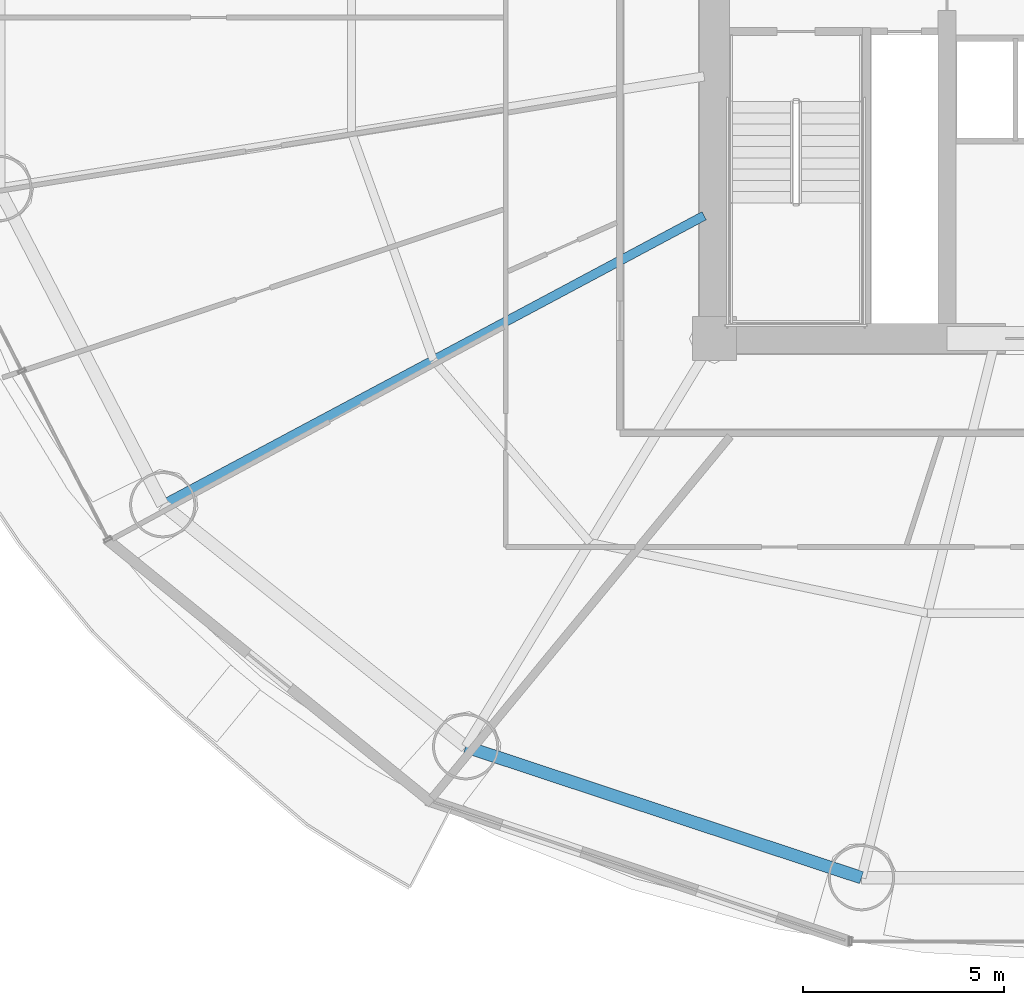
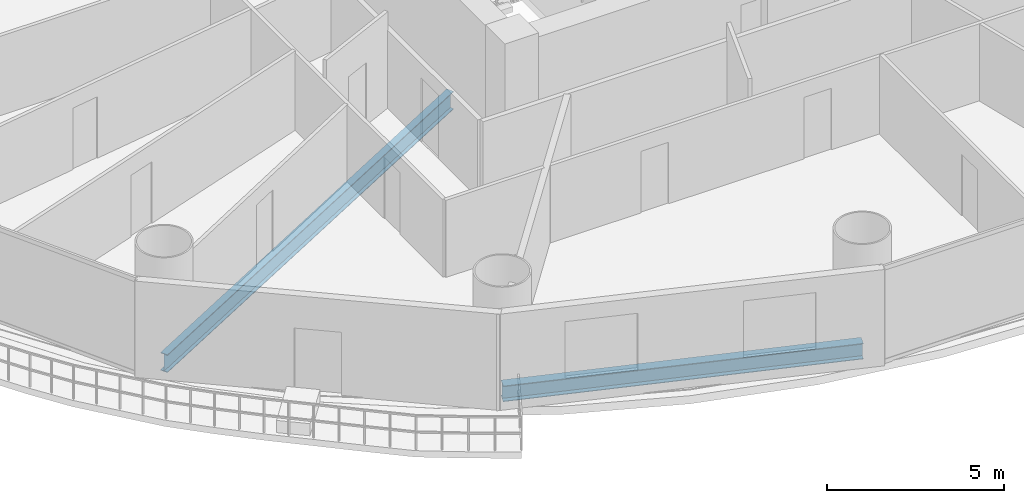
# One storey, part 3 of 29: 2 beams.
"""IFC4 building model written with IfcOpenShell, lengths in metres."""

import ifcopenshell
import ifcopenshell.guid

model = None  # the IFC model being written
_history = None  # IfcOwnerHistory: only IFC2X3 demands one
_inside = {}  # id of a spatial element -> (the spatial element, [elements in it])
_under = {}  # id of a project, library or spatial element -> (it, [spatial elements below it])
_declared = {}  # id of a project -> (the project, [libraries it declares])
_typed = {}  # id of a type object -> (the type object, [elements of that type])
_made_of = {}  # id of a material, layer set ... -> (it, [elements and type objects made of it])


def new_model(schema):
    """Start an empty IFC model of exactly this schema.

    Asked for "IFC4X3", IfcOpenShell would pick the latest addendum, in which some entities
    have other attributes; the version numbers below select the first issue.
    IFC2X3 requires an IfcOwnerHistory on every rooted entity: one is made here for all.
    """
    global model, _history
    if schema == "IFC4X3":
        model = ifcopenshell.file(schema_version=(4, 3, 0, 0))
    else:
        model = ifcopenshell.file(schema=schema)
    _inside.clear()
    _under.clear()
    _declared.clear()
    _typed.clear()
    _made_of.clear()
    _history = None
    if model.schema == "IFC2X3":
        org = make("IfcOrganization", Name="unknown")
        user = make(
            "IfcPersonAndOrganization",
            ThePerson=make("IfcPerson", FamilyName="unknown"),
            TheOrganization=org,
        )
        app = make(
            "IfcApplication",
            ApplicationDeveloper=org,
            Version="unknown",
            ApplicationFullName="unknown",
            ApplicationIdentifier="unknown",
        )
        _history = make(
            "IfcOwnerHistory",
            OwningUser=user,
            OwningApplication=app,
            ChangeAction="ADDED",
            CreationDate=0,
        )
    return model


def make(cls, **values):
    """One entity of the class cls with the attributes given. An attribute that is None is left unset."""
    return model.create_entity(
        cls, **{name: value for name, value in values.items() if value is not None}
    )


def rooted(cls, **values):
    """An entity with a GlobalId (a new one), such as an element, a storey or a relation."""
    return make(cls, GlobalId=ifcopenshell.guid.new(), OwnerHistory=_history, **values)


def si_unit(unit_type, name, prefix=None):
    """IfcSIUnit, for example si_unit("LENGTHUNIT", "METRE", prefix="MILLI")."""
    return make("IfcSIUnit", UnitType=unit_type, Prefix=prefix, Name=name)


def assignment(units):
    """IfcUnitAssignment: the units of a project."""
    return None if units is None else make("IfcUnitAssignment", Units=units)


def point(xyz):
    """IfcCartesianPoint."""
    return None if xyz is None else make("IfcCartesianPoint", Coordinates=xyz)


def direction(xyz):
    """IfcDirection."""
    return None if xyz is None else make("IfcDirection", DirectionRatios=xyz)


def frame(location, z_axis=None, x_axis=None):
    """IfcAxis2Placement3D, a coordinate frame: its origin and axes. An axis left out is left unset."""
    return make(
        "IfcAxis2Placement3D",
        Location=point(location),
        Axis=direction(z_axis),
        RefDirection=direction(x_axis),
    )


def frame_2d(location, x_axis=None):
    """IfcAxis2Placement2D, a coordinate frame in the plane: its origin and x axis."""
    return make(
        "IfcAxis2Placement2D", Location=point(location), RefDirection=direction(x_axis)
    )


def origin():
    """The frame at (0, 0, 0) with its axes left unset."""
    return frame((0.0, 0.0, 0.0))


def origin_2d():
    """The frame at (0, 0) in the plane with its x axis left unset."""
    return frame_2d((0.0, 0.0))


def place(relative_to, where):
    """IfcLocalPlacement: puts the frame where relative to a parent placement (None: the world)."""
    return make(
        "IfcLocalPlacement", PlacementRelTo=relative_to, RelativePlacement=where
    )


def context(
    kind, dimensions, precision=None, world=None, true_north=None, identifier=None
):
    """IfcGeometricRepresentationContext, for example the 3D "Model" context."""
    return make(
        "IfcGeometricRepresentationContext",
        ContextIdentifier=identifier,
        ContextType=kind,
        CoordinateSpaceDimension=dimensions,
        Precision=precision,
        WorldCoordinateSystem=world,
        TrueNorth=true_north,
    )


def subcontext(parent, identifier, kind, view, scale=None):
    """IfcGeometricRepresentationSubContext, for example "Body" below "Model"."""
    return make(
        "IfcGeometricRepresentationSubContext",
        ContextIdentifier=identifier,
        ContextType=kind,
        ParentContext=parent,
        TargetScale=scale,
        TargetView=view,
    )


def project(units=None, contexts=None):
    """IfcProject with its units and contexts."""
    return rooted(
        "IfcProject",
        Name="project",
        RepresentationContexts=contexts,
        UnitsInContext=assignment(units),
    )


def spatial(cls, under=None, at=None, **own):
    """A site, building, storey or space (cls), placed at a placement, below another one or the project."""
    s = rooted(cls, ObjectPlacement=at, **own)
    if under is not None:
        _under.setdefault(under.id(), (under, []))[1].append(s)
    return s


def profile(cls, at=None, kind="AREA", **sizes):
    """A parametric profile (cls). Its sizes go by their IFC names, for example OverallWidth=200.0."""
    return make(cls, ProfileType=kind, Position=at, **sizes)


def i_section(**sizes):
    """IfcIShapeProfileDef."""
    return profile("IfcIShapeProfileDef", **sizes)


def extrude(swept, where, along, depth):
    """IfcExtrudedAreaSolid: the profile swept, set in the frame where, extruded along a direction by depth."""
    return make(
        "IfcExtrudedAreaSolid",
        SweptArea=swept,
        Position=where,
        ExtrudedDirection=direction(along),
        Depth=depth,
    )


def shape(context_of_items, identifier, shape_type, items):
    """IfcShapeRepresentation: the items that make up one representation, for example the "Body"."""
    return make(
        "IfcShapeRepresentation",
        ContextOfItems=context_of_items,
        RepresentationIdentifier=identifier,
        RepresentationType=shape_type,
        Items=items,
    )


def material(Name=None, Category=None):
    """IfcMaterial."""
    return make("IfcMaterial", Name=Name, Category=Category)


def material_profile(
    of_material, cross_section, Name=None, Category=None, Priority=None
):
    """IfcMaterialProfile: a cross section and its material."""
    return make(
        "IfcMaterialProfile",
        Name=Name,
        Material=of_material,
        Profile=cross_section,
        Priority=Priority,
        Category=Category,
    )


def profile_set(profiles, Name=None, composite=None):
    """IfcMaterialProfileSet."""
    return make(
        "IfcMaterialProfileSet",
        Name=Name,
        MaterialProfiles=profiles,
        CompositeProfile=composite,
    )


def made_of(thing, what):
    """Note that an element or type object is made of a material, layer set ...; save() writes the relation."""
    if what is not None:
        _made_of.setdefault(what.id(), (what, []))[1].append(thing)
    return thing


def type_object(cls, material=None, **own):
    """A type object (cls), such as IfcWallType, which elements share."""
    return made_of(rooted(cls, **own), material)


def element(
    cls,
    number,
    at=None,
    inside=None,
    cuts=None,
    type_object=None,
    material=None,
    context=None,
    identifier="Body",
    shape_type=None,
    held_by="IfcProductDefinitionShape",
    body=None,
    shapes=None,
    **own,
):
    """One element of the class cls, such as IfcWall. Its Tag is "e" and its number.

    at: its placement. inside: the storey or other place that contains it. cuts: it is an
    opening in that element (IfcRelVoidsElement). A single representation is given by context,
    identifier, shape_type and body (its items); several are given by shapes. held_by: the class
    of the entity that holds the representations. save() writes the other relations.
    """
    e = rooted(cls, Tag="e%d" % number, ObjectPlacement=at, **own)
    if body is not None:
        shapes = [shape(context, identifier, shape_type, body)]
    if shapes is not None:
        e.Representation = make(held_by, Representations=shapes)
    if inside is not None:
        _inside.setdefault(inside.id(), (inside, []))[1].append(e)
    if cuts is not None:
        rooted(
            "IfcRelVoidsElement", RelatingBuildingElement=cuts, RelatedOpeningElement=e
        )
    if type_object is not None:
        _typed.setdefault(type_object.id(), (type_object, []))[1].append(e)
    return made_of(e, material)


def aggregate(whole, parts):
    """IfcRelAggregates: a whole, such as a stair, and the parts it consists of."""
    return rooted("IfcRelAggregates", RelatingObject=whole, RelatedObjects=parts)


def save(model, path):
    """Write the relations noted so far, then the file.

    IfcRelAggregates (storeys below a building ...), IfcRelContainedInSpatialStructure (elements
    in a storey), IfcRelDefinesByType, IfcRelAssociatesMaterial and IfcRelDeclares: one each for
    every whole, place, type object, material and project.
    """
    for whole, parts in _under.values():
        aggregate(whole, parts)
    for where, things in _inside.values():
        rooted(
            "IfcRelContainedInSpatialStructure",
            RelatedElements=things,
            RelatingStructure=where,
        )
    for kind, things in _typed.values():
        rooted("IfcRelDefinesByType", RelatedObjects=things, RelatingType=kind)
    for what, things in _made_of.values():
        rooted("IfcRelAssociatesMaterial", RelatedObjects=things, RelatingMaterial=what)
    for by, libraries in _declared.values():
        rooted("IfcRelDeclares", RelatingContext=by, RelatedDefinitions=libraries)
    model.write(path)


model = new_model("IFC4")

# Units and contexts
model_context = context("Model", 3, precision=1e-05, world=origin(), true_north=direction((-0.2419218956, 0.970295726276)))
body_context = subcontext(model_context, "Body", "Model", "MODEL_VIEW")
ifc_project = project(units=[si_unit("LENGTHUNIT", "METRE"), si_unit("AREAUNIT", "SQUARE_METRE"), si_unit("VOLUMEUNIT", "CUBIC_METRE"), si_unit("PLANEANGLEUNIT", "RADIAN"), si_unit("MASSUNIT", "GRAM", prefix="KILO")], contexts=[model_context])

# Site, building, storey
site_placement = place(None, origin())
site = spatial("IfcSite", under=ifc_project, at=site_placement, CompositionType="ELEMENT")
building_placement = place(site_placement, origin())
building = spatial("IfcBuilding", under=site, at=building_placement, Name="Cobrevalo Terracotta Tower", CompositionType="ELEMENT")
storey_placement = place(building_placement, frame((0.0, 0.0, 45.60009765625)))
storey = spatial("IfcBuildingStorey", under=building, at=storey_placement, Name="L11", CompositionType="ELEMENT", Elevation=45.60009765625)

# Beams
ifc_material = material(Name="Steel S355", Category="steel")
ifc_material_profile_1 = material_profile(ifc_material, i_section(OverallWidth=0.22998046875, OverallDepth=0.616943359375, WebThickness=0.01318359375, FlangeThickness=0.022216796875, at=origin_2d()), Name="W 610x140")
ifc_profile_set_1 = profile_set([ifc_material_profile_1], Name="Steel S355")
beam_type_1 = type_object("IfcBeamType", Name="Structural Beam W 610x140 (Steel S355)", PredefinedType="BEAM", material=ifc_profile_set_1)
beam_1_placement = place(storey_placement, frame((15.25927734375, 14.660888671875, -0.588623046875), z_axis=(0.88218223571, 0.470908168329, 0.0), x_axis=(-0.470908168329, 0.88218223571, 0.0)))
element("IfcBeam", 1, at=beam_1_placement, inside=storey, type_object=beam_type_1, Name="L11 radial floor girder 10", PredefinedType="BEAM", context=body_context, shape_type="SweptSolid", body=[
    extrude(i_section(OverallWidth=0.22998046875, OverallDepth=0.616943359375, WebThickness=0.01318359375, FlangeThickness=0.022216796875, at=origin_2d()), origin(), (0.0, 0.0, 1.0), 15.286865234375),
])
ifc_material_profile_2 = material_profile(ifc_material, i_section(OverallWidth=0.31201171875, OverallDepth=0.54296875, WebThickness=0.0126953125, FlangeThickness=0.020263671875, at=origin_2d()), Name="W 530x150")
ifc_profile_set_2 = profile_set([ifc_material_profile_2], Name="Steel S355")
beam_type_2 = type_object("IfcBeamType", Name="Structural Spandrel W 530x150 (Steel S355)", PredefinedType="SPANDREL", material=ifc_profile_set_2)
beam_2_placement = place(storey_placement, frame((22.80517578125, 8.63232421875, -0.551513671875), z_axis=(0.949372202648, -0.314153498848, 0.0), x_axis=(0.314153498848, 0.949372202648, 0.0)))
element("IfcBeam", 2, at=beam_2_placement, inside=storey, type_object=beam_type_2, Name="L11 perimeter ring spandrel 11", PredefinedType="SPANDREL", context=body_context, shape_type="SweptSolid", body=[
    extrude(i_section(OverallWidth=0.31201171875, OverallDepth=0.54296875, WebThickness=0.0126953125, FlangeThickness=0.020263671875, at=origin_2d()), origin(), (0.0, 0.0, 1.0), 10.385009765625),
])

save(model, "model.ifc")
